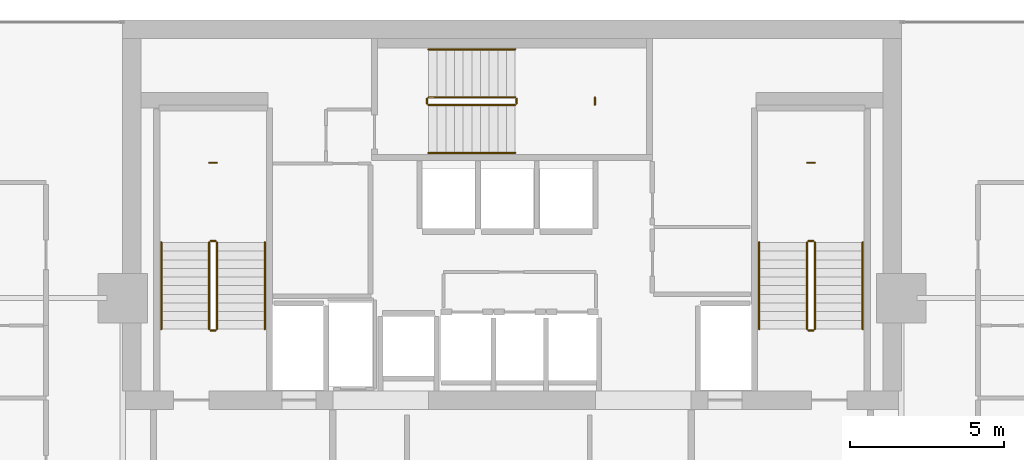
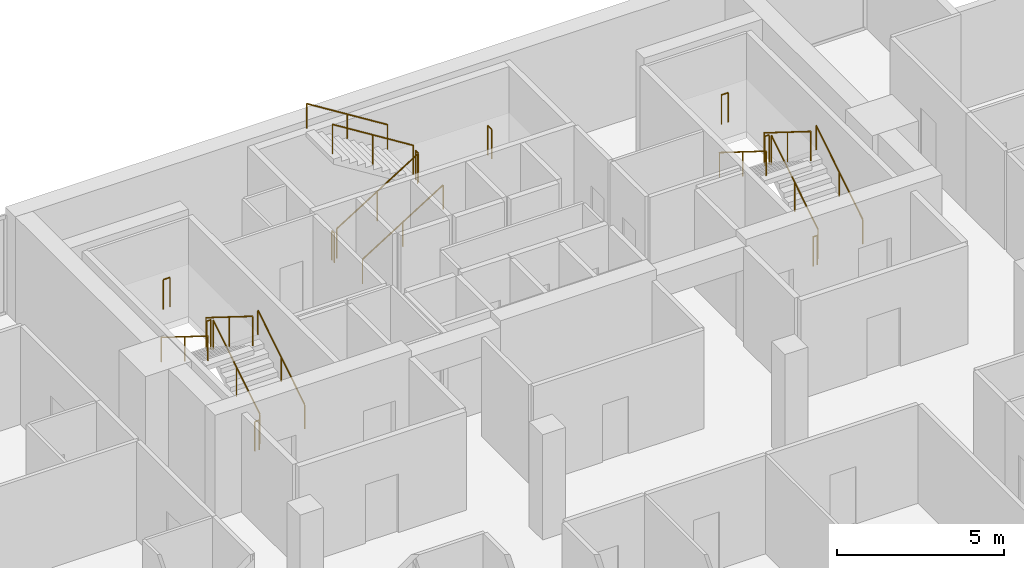
# One storey, part 25 of 25: 21 railings.
"""IFC4 building model written with IfcOpenShell, lengths in metres."""

from ifc_helpers import new_model, si_unit, direction, frame, origin, origin_2d, place, context, subcontext, project, spatial, circle, extrude, material, type_object, element, save


model = new_model("IFC4")

# Units and contexts
model_context = context("Model", 3, precision=1e-05, world=origin(), true_north=direction((0.0, 1.0)))
body_context = subcontext(model_context, "Body", "Model", "MODEL_VIEW")
ifc_project = project(units=[si_unit("LENGTHUNIT", "METRE"), si_unit("AREAUNIT", "SQUARE_METRE"), si_unit("VOLUMEUNIT", "CUBIC_METRE"), si_unit("PLANEANGLEUNIT", "RADIAN"), si_unit("MASSUNIT", "GRAM", prefix="KILO")], contexts=[model_context])

# Site, building, storey
site_placement = place(None, origin())
site = spatial("IfcSite", under=ifc_project, at=site_placement, CompositionType="ELEMENT")
building_placement = place(site_placement, origin())
building = spatial("IfcBuilding", under=site, at=building_placement, Name="Maruvema Waterfront Hotel and Observation Tower", CompositionType="ELEMENT")
storey_placement = place(building_placement, frame((0.0, 0.0, 304.85009765625)))
storey = spatial("IfcBuildingStorey", under=building, at=storey_placement, Name="L75", CompositionType="ELEMENT", Elevation=304.85009765625)

# Railings
ifc_material_1 = material(Name="Brushed stainless steel Grade 316", Category="steel")
railing_type_1 = type_object("IfcRailingType", Name="Ramp Continuous Wall Handrail 920 mm", PredefinedType="HANDRAIL", material=ifc_material_1)
railing_1_placement = place(storey_placement, frame((29.800048828125, 44.0, 0.1748046875)))
element("IfcRailing", 1, at=railing_1_placement, inside=storey, type_object=railing_type_1, Name="L75 ST-01 stair handrail 1", PredefinedType="HANDRAIL", context=body_context, shape_type="SweptSolid", body=[
    extrude(circle(Radius=0.02392578125, at=origin_2d()), frame((0.0, 0.0, 0.89599609375), z_axis=(0.0, 0.848002457836, 0.529992293815), x_axis=(-1.0, 0.0, 0.0)), (0.0, 0.0, 1.0), 3.302001953125),
    extrude(circle(Radius=0.02099609375, at=origin_2d()), origin(), (0.0, 0.0, 1.0), 0.871826171875),
    extrude(circle(Radius=0.02099609375, at=origin_2d()), frame((0.0, 1.39990234375, 0.875)), (0.0, 0.0, 1.0), 0.871826171875),
    extrude(circle(Radius=0.02099609375, at=origin_2d()), frame((0.0, 2.800048828125, 1.75)), (0.0, 0.0, 1.0), 0.871826171875),
])
railing_2_placement = place(storey_placement, frame((26.449951171875, 46.800048828125, 2.099853515625)))
element("IfcRailing", 2, at=railing_2_placement, inside=storey, type_object=railing_type_1, Name="L75 ST-01 stair handrail 2", PredefinedType="HANDRAIL", context=body_context, shape_type="SweptSolid", body=[
    extrude(circle(Radius=0.02392578125, at=origin_2d()), frame((0.0, 0.0, 0.89599609375), z_axis=(0.0, -0.848002457836, 0.529992293815), x_axis=(1.0, 0.0, 0.0)), (0.0, 0.0, 1.0), 3.302001953125),
    extrude(circle(Radius=0.02099609375, at=origin_2d()), origin(), (0.0, 0.0, 1.0), 0.871826171875),
    extrude(circle(Radius=0.02099609375, at=origin_2d()), frame((0.0, -1.39990234375, 0.875)), (0.0, 0.0, 1.0), 0.871826171875),
    extrude(circle(Radius=0.02099609375, at=origin_2d()), frame((0.0, -2.800048828125, 1.75)), (0.0, 0.0, 1.0), 0.871826171875),
])
railing_3_placement = place(storey_placement, frame((35.10009765625, 49.699951171875, 0.1748046875)))
element("IfcRailing", 3, at=railing_3_placement, inside=storey, type_object=railing_type_1, Name="L75 ST-02 stair handrail 1", PredefinedType="HANDRAIL", context=body_context, shape_type="SweptSolid", body=[
    extrude(circle(Radius=0.02392578125, at=origin_2d()), frame((0.0, 0.0, 0.89599609375), z_axis=(0.847981687118, 0.0, 0.530025526095), x_axis=(0.0, 1.0, 0.0)), (0.0, 0.0, 1.0), 3.3017578125),
    extrude(circle(Radius=0.02099609375, at=origin_2d()), origin(), (0.0, 0.0, 1.0), 0.871826171875),
    extrude(circle(Radius=0.02099609375, at=origin_2d()), frame((1.39990234375, 0.0, 0.875)), (0.0, 0.0, 1.0), 0.871826171875),
    extrude(circle(Radius=0.02099609375, at=origin_2d()), frame((2.7998046875, 0.0, 1.75)), (0.0, 0.0, 1.0), 0.871826171875),
])
railing_4_placement = place(storey_placement, frame((37.89990234375, 53.050048828125, 2.099853515625)))
element("IfcRailing", 4, at=railing_4_placement, inside=storey, type_object=railing_type_1, Name="L75 ST-02 stair handrail 2", PredefinedType="HANDRAIL", context=body_context, shape_type="SweptSolid", body=[
    extrude(circle(Radius=0.02392578125, at=origin_2d()), frame((0.0, 0.0, 0.89599609375), z_axis=(-0.847981687118, 0.0, 0.530025526095), x_axis=(0.0, -1.0, 0.0)), (0.0, 0.0, 1.0), 3.3017578125),
    extrude(circle(Radius=0.02099609375, at=origin_2d()), origin(), (0.0, 0.0, 1.0), 0.871826171875),
    extrude(circle(Radius=0.02099609375, at=origin_2d()), frame((-1.39990234375, 0.0, 0.875)), (0.0, 0.0, 1.0), 0.871826171875),
    extrude(circle(Radius=0.02099609375, at=origin_2d()), frame((-2.7998046875, 0.0, 1.75)), (0.0, 0.0, 1.0), 0.871826171875),
])
railing_5_placement = place(storey_placement, frame((49.14990234375, 44.0, 0.1748046875)))
element("IfcRailing", 5, at=railing_5_placement, inside=storey, type_object=railing_type_1, Name="L75 ST-03 stair handrail 1", PredefinedType="HANDRAIL", context=body_context, shape_type="SweptSolid", body=[
    extrude(circle(Radius=0.02392578125, at=origin_2d()), frame((0.0, 0.0, 0.89599609375), z_axis=(0.0, 0.848002457836, 0.529992293815), x_axis=(-1.0, 0.0, 0.0)), (0.0, 0.0, 1.0), 3.302001953125),
    extrude(circle(Radius=0.02099609375, at=origin_2d()), origin(), (0.0, 0.0, 1.0), 0.871826171875),
    extrude(circle(Radius=0.02099609375, at=origin_2d()), frame((0.0, 1.39990234375, 0.875)), (0.0, 0.0, 1.0), 0.871826171875),
    extrude(circle(Radius=0.02099609375, at=origin_2d()), frame((0.0, 2.800048828125, 1.75)), (0.0, 0.0, 1.0), 0.871826171875),
])
railing_6_placement = place(storey_placement, frame((45.800048828125, 46.800048828125, 2.099853515625)))
element("IfcRailing", 6, at=railing_6_placement, inside=storey, type_object=railing_type_1, Name="L75 ST-03 stair handrail 2", PredefinedType="HANDRAIL", context=body_context, shape_type="SweptSolid", body=[
    extrude(circle(Radius=0.02392578125, at=origin_2d()), frame((0.0, 0.0, 0.89599609375), z_axis=(0.0, -0.848002457836, 0.529992293815), x_axis=(1.0, 0.0, 0.0)), (0.0, 0.0, 1.0), 3.302001953125),
    extrude(circle(Radius=0.02099609375, at=origin_2d()), origin(), (0.0, 0.0, 1.0), 0.871826171875),
    extrude(circle(Radius=0.02099609375, at=origin_2d()), frame((0.0, -1.39990234375, 0.875)), (0.0, 0.0, 1.0), 0.871826171875),
    extrude(circle(Radius=0.02099609375, at=origin_2d()), frame((0.0, -2.800048828125, 1.75)), (0.0, 0.0, 1.0), 0.871826171875),
])
ifc_material_2 = material(Name="Brushed stainless steel Grade 316", Category="steel")
railing_type_2 = type_object("IfcRailingType", Name="Ramp and Terrace Guard Balustrade 1100 mm", PredefinedType="BALUSTRADE", material=ifc_material_2)
railing_7_placement = place(storey_placement, frame((28.25, 44.0, 0.1748046875)))
element("IfcRailing", 7, at=railing_7_placement, inside=storey, type_object=railing_type_2, Name="L75 ST-01 stair guard 1", PredefinedType="BALUSTRADE", context=body_context, shape_type="SweptSolid", body=[
    extrude(circle(Radius=0.02392578125, at=origin_2d()), frame((0.0, 0.0, 1.076171875), z_axis=(0.0, 0.848002457836, 0.529992293815), x_axis=(-1.0, 0.0, 0.0)), (0.0, 0.0, 1.0), 3.302001953125),
    extrude(circle(Radius=0.02099609375, at=origin_2d()), origin(), (0.0, 0.0, 1.0), 1.052001953125),
    extrude(circle(Radius=0.02099609375, at=origin_2d()), frame((0.0, 1.39990234375, 0.875)), (0.0, 0.0, 1.0), 1.052001953125),
    extrude(circle(Radius=0.02099609375, at=origin_2d()), frame((0.0, 2.800048828125, 1.75)), (0.0, 0.0, 1.0), 1.052001953125),
])
railing_8_placement = place(storey_placement, frame((28.199951171875, 46.85009765625, 1.9248046875)))
element("IfcRailing", 8, at=railing_8_placement, inside=storey, type_object=railing_type_2, Name="L75 ST-01 stair guard 2", PredefinedType="BALUSTRADE", context=body_context, shape_type="SweptSolid", body=[
    extrude(circle(Radius=0.02392578125, at=origin_2d()), frame((0.0, 0.0, 1.076171875), z_axis=(-1.0, 0.0, 0.0), x_axis=(0.0, -1.0, 0.0)), (0.0, 0.0, 1.0), 0.14990234375),
    extrude(circle(Radius=0.02099609375, at=origin_2d()), origin(), (0.0, 0.0, 1.0), 1.052001953125),
    extrude(circle(Radius=0.02099609375, at=origin_2d()), frame((-0.14990234375, 0.0, 0.0)), (0.0, 0.0, 1.0), 1.052001953125),
])
railing_9_placement = place(storey_placement, frame((28.0, 46.800048828125, 2.099853515625)))
element("IfcRailing", 9, at=railing_9_placement, inside=storey, type_object=railing_type_2, Name="L75 ST-01 stair guard 3", PredefinedType="BALUSTRADE", context=body_context, shape_type="SweptSolid", body=[
    extrude(circle(Radius=0.02392578125, at=origin_2d()), frame((0.0, 0.0, 1.076171875), z_axis=(0.0, -0.848002457836, 0.529992293815), x_axis=(1.0, 0.0, 0.0)), (0.0, 0.0, 1.0), 3.302001953125),
    extrude(circle(Radius=0.02099609375, at=origin_2d()), origin(), (0.0, 0.0, 1.0), 1.052001953125),
    extrude(circle(Radius=0.02099609375, at=origin_2d()), frame((0.0, -1.39990234375, 0.875)), (0.0, 0.0, 1.0), 1.052001953125),
    extrude(circle(Radius=0.02099609375, at=origin_2d()), frame((0.0, -2.800048828125, 1.75)), (0.0, 0.0, 1.0), 1.052001953125),
])
railing_10_placement = place(storey_placement, frame((28.199951171875, 43.949951171875, 0.0)))
element("IfcRailing", 10, at=railing_10_placement, inside=storey, type_object=railing_type_2, Name="L75 ST-01 stair guard 4", PredefinedType="BALUSTRADE", context=body_context, shape_type="SweptSolid", body=[
    extrude(circle(Radius=0.02392578125, at=origin_2d()), frame((0.0, 0.0, 1.076171875), z_axis=(-1.0, 0.0, 0.0), x_axis=(0.0, -1.0, 0.0)), (0.0, 0.0, 1.0), 0.14990234375),
    extrude(circle(Radius=0.02099609375, at=origin_2d()), origin(), (0.0, 0.0, 1.0), 1.052001953125),
    extrude(circle(Radius=0.02099609375, at=origin_2d()), frame((-0.14990234375, 0.0, 0.0)), (0.0, 0.0, 1.0), 1.052001953125),
])
railing_11_placement = place(storey_placement, frame((28.239990234375, 49.3798828125, 1.9248046875)))
element("IfcRailing", 11, at=railing_11_placement, inside=storey, type_object=railing_type_2, Name="L75 ST-01 Half-Landing Slot Guard", PredefinedType="BALUSTRADE", context=body_context, shape_type="SweptSolid", body=[
    extrude(circle(Radius=0.02392578125, at=origin_2d()), frame((0.0, 0.0, 1.076171875), z_axis=(-1.0, 0.0, 0.0), x_axis=(0.0, -1.0, 0.0)), (0.0, 0.0, 1.0), 0.22998046875),
    extrude(circle(Radius=0.02099609375, at=origin_2d()), origin(), (0.0, 0.0, 1.0), 1.052001953125),
    extrude(circle(Radius=0.02099609375, at=origin_2d()), frame((-0.22998046875, 0.0, 0.0)), (0.0, 0.0, 1.0), 1.052001953125),
])
railing_12_placement = place(storey_placement, frame((35.10009765625, 51.25, 0.1748046875)))
element("IfcRailing", 12, at=railing_12_placement, inside=storey, type_object=railing_type_2, Name="L75 ST-02 stair guard 1", PredefinedType="BALUSTRADE", context=body_context, shape_type="SweptSolid", body=[
    extrude(circle(Radius=0.02392578125, at=origin_2d()), frame((0.0, 0.0, 1.076171875), z_axis=(0.847981687118, 0.0, 0.530025526095), x_axis=(0.0, 1.0, 0.0)), (0.0, 0.0, 1.0), 3.3017578125),
    extrude(circle(Radius=0.02099609375, at=origin_2d()), origin(), (0.0, 0.0, 1.0), 1.052001953125),
    extrude(circle(Radius=0.02099609375, at=origin_2d()), frame((1.39990234375, 0.0, 0.875)), (0.0, 0.0, 1.0), 1.052001953125),
    extrude(circle(Radius=0.02099609375, at=origin_2d()), frame((2.7998046875, 0.0, 1.75)), (0.0, 0.0, 1.0), 1.052001953125),
])
railing_13_placement = place(storey_placement, frame((37.949951171875, 51.300048828125, 1.9248046875)))
element("IfcRailing", 13, at=railing_13_placement, inside=storey, type_object=railing_type_2, Name="L75 ST-02 stair guard 2", PredefinedType="BALUSTRADE", context=body_context, shape_type="SweptSolid", body=[
    extrude(circle(Radius=0.02392578125, at=origin_2d()), frame((0.0, 0.0, 1.076171875), z_axis=(0.0, 1.0, 0.0), x_axis=(-1.0, 0.0, 0.0)), (0.0, 0.0, 1.0), 0.14990234375),
    extrude(circle(Radius=0.02099609375, at=origin_2d()), origin(), (0.0, 0.0, 1.0), 1.052001953125),
    extrude(circle(Radius=0.02099609375, at=origin_2d()), frame((0.0, 0.14990234375, 0.0)), (0.0, 0.0, 1.0), 1.052001953125),
])
railing_14_placement = place(storey_placement, frame((37.89990234375, 51.5, 2.099853515625)))
element("IfcRailing", 14, at=railing_14_placement, inside=storey, type_object=railing_type_2, Name="L75 ST-02 stair guard 3", PredefinedType="BALUSTRADE", context=body_context, shape_type="SweptSolid", body=[
    extrude(circle(Radius=0.02392578125, at=origin_2d()), frame((0.0, 0.0, 1.076171875), z_axis=(-0.847981687118, 0.0, 0.530025526095), x_axis=(0.0, -1.0, 0.0)), (0.0, 0.0, 1.0), 3.3017578125),
    extrude(circle(Radius=0.02099609375, at=origin_2d()), origin(), (0.0, 0.0, 1.0), 1.052001953125),
    extrude(circle(Radius=0.02099609375, at=origin_2d()), frame((-1.39990234375, 0.0, 0.875)), (0.0, 0.0, 1.0), 1.052001953125),
    extrude(circle(Radius=0.02099609375, at=origin_2d()), frame((-2.7998046875, 0.0, 1.75)), (0.0, 0.0, 1.0), 1.052001953125),
])
railing_15_placement = place(storey_placement, frame((35.050048828125, 51.300048828125, 0.0)))
element("IfcRailing", 15, at=railing_15_placement, inside=storey, type_object=railing_type_2, Name="L75 ST-02 stair guard 4", PredefinedType="BALUSTRADE", context=body_context, shape_type="SweptSolid", body=[
    extrude(circle(Radius=0.02392578125, at=origin_2d()), frame((0.0, 0.0, 1.076171875), z_axis=(0.0, 1.0, 0.0), x_axis=(-1.0, 0.0, 0.0)), (0.0, 0.0, 1.0), 0.14990234375),
    extrude(circle(Radius=0.02099609375, at=origin_2d()), origin(), (0.0, 0.0, 1.0), 1.052001953125),
    extrude(circle(Radius=0.02099609375, at=origin_2d()), frame((0.0, 0.14990234375, 0.0)), (0.0, 0.0, 1.0), 1.052001953125),
])
railing_16_placement = place(storey_placement, frame((40.47998046875, 51.260009765625, 1.9248046875)))
element("IfcRailing", 16, at=railing_16_placement, inside=storey, type_object=railing_type_2, Name="L75 ST-02 Half-Landing Slot Guard", PredefinedType="BALUSTRADE", context=body_context, shape_type="SweptSolid", body=[
    extrude(circle(Radius=0.02392578125, at=origin_2d()), frame((0.0, 0.0, 1.076171875), z_axis=(0.0, 1.0, 0.0), x_axis=(-1.0, 0.0, 0.0)), (0.0, 0.0, 1.0), 0.22998046875),
    extrude(circle(Radius=0.02099609375, at=origin_2d()), origin(), (0.0, 0.0, 1.0), 1.052001953125),
    extrude(circle(Radius=0.02099609375, at=origin_2d()), frame((0.0, 0.22998046875, 0.0)), (0.0, 0.0, 1.0), 1.052001953125),
])
railing_17_placement = place(storey_placement, frame((47.60009765625, 44.0, 0.1748046875)))
element("IfcRailing", 17, at=railing_17_placement, inside=storey, type_object=railing_type_2, Name="L75 ST-03 stair guard 1", PredefinedType="BALUSTRADE", context=body_context, shape_type="SweptSolid", body=[
    extrude(circle(Radius=0.02392578125, at=origin_2d()), frame((0.0, 0.0, 1.076171875), z_axis=(0.0, 0.848002457836, 0.529992293815), x_axis=(-1.0, 0.0, 0.0)), (0.0, 0.0, 1.0), 3.302001953125),
    extrude(circle(Radius=0.02099609375, at=origin_2d()), origin(), (0.0, 0.0, 1.0), 1.052001953125),
    extrude(circle(Radius=0.02099609375, at=origin_2d()), frame((0.0, 1.39990234375, 0.875)), (0.0, 0.0, 1.0), 1.052001953125),
    extrude(circle(Radius=0.02099609375, at=origin_2d()), frame((0.0, 2.800048828125, 1.75)), (0.0, 0.0, 1.0), 1.052001953125),
])
railing_18_placement = place(storey_placement, frame((47.550048828125, 46.85009765625, 1.9248046875)))
element("IfcRailing", 18, at=railing_18_placement, inside=storey, type_object=railing_type_2, Name="L75 ST-03 stair guard 2", PredefinedType="BALUSTRADE", context=body_context, shape_type="SweptSolid", body=[
    extrude(circle(Radius=0.02392578125, at=origin_2d()), frame((0.0, 0.0, 1.076171875), z_axis=(-1.0, 0.0, 0.0), x_axis=(0.0, -1.0, 0.0)), (0.0, 0.0, 1.0), 0.150146484375),
    extrude(circle(Radius=0.02099609375, at=origin_2d()), origin(), (0.0, 0.0, 1.0), 1.052001953125),
    extrude(circle(Radius=0.02099609375, at=origin_2d()), frame((-0.150146484375, 0.0, 0.0)), (0.0, 0.0, 1.0), 1.052001953125),
])
railing_19_placement = place(storey_placement, frame((47.35009765625, 46.800048828125, 2.099853515625)))
element("IfcRailing", 19, at=railing_19_placement, inside=storey, type_object=railing_type_2, Name="L75 ST-03 stair guard 3", PredefinedType="BALUSTRADE", context=body_context, shape_type="SweptSolid", body=[
    extrude(circle(Radius=0.02392578125, at=origin_2d()), frame((0.0, 0.0, 1.076171875), z_axis=(0.0, -0.848002457836, 0.529992293815), x_axis=(1.0, 0.0, 0.0)), (0.0, 0.0, 1.0), 3.302001953125),
    extrude(circle(Radius=0.02099609375, at=origin_2d()), origin(), (0.0, 0.0, 1.0), 1.052001953125),
    extrude(circle(Radius=0.02099609375, at=origin_2d()), frame((0.0, -1.39990234375, 0.875)), (0.0, 0.0, 1.0), 1.052001953125),
    extrude(circle(Radius=0.02099609375, at=origin_2d()), frame((0.0, -2.800048828125, 1.75)), (0.0, 0.0, 1.0), 1.052001953125),
])
railing_20_placement = place(storey_placement, frame((47.550048828125, 43.949951171875, 0.0)))
element("IfcRailing", 20, at=railing_20_placement, inside=storey, type_object=railing_type_2, Name="L75 ST-03 stair guard 4", PredefinedType="BALUSTRADE", context=body_context, shape_type="SweptSolid", body=[
    extrude(circle(Radius=0.02392578125, at=origin_2d()), frame((0.0, 0.0, 1.076171875), z_axis=(-1.0, 0.0, 0.0), x_axis=(0.0, -1.0, 0.0)), (0.0, 0.0, 1.0), 0.150146484375),
    extrude(circle(Radius=0.02099609375, at=origin_2d()), origin(), (0.0, 0.0, 1.0), 1.052001953125),
    extrude(circle(Radius=0.02099609375, at=origin_2d()), frame((-0.150146484375, 0.0, 0.0)), (0.0, 0.0, 1.0), 1.052001953125),
])
railing_21_placement = place(storey_placement, frame((47.590087890625, 49.3798828125, 1.9248046875)))
element("IfcRailing", 21, at=railing_21_placement, inside=storey, type_object=railing_type_2, Name="L75 ST-03 Half-Landing Slot Guard", PredefinedType="BALUSTRADE", context=body_context, shape_type="SweptSolid", body=[
    extrude(circle(Radius=0.02392578125, at=origin_2d()), frame((0.0, 0.0, 1.076171875), z_axis=(-1.0, 0.0, 0.0), x_axis=(0.0, -1.0, 0.0)), (0.0, 0.0, 1.0), 0.22998046875),
    extrude(circle(Radius=0.02099609375, at=origin_2d()), origin(), (0.0, 0.0, 1.0), 1.052001953125),
    extrude(circle(Radius=0.02099609375, at=origin_2d()), frame((-0.22998046875, 0.0, 0.0)), (0.0, 0.0, 1.0), 1.052001953125),
])

save(model, "model.ifc")
